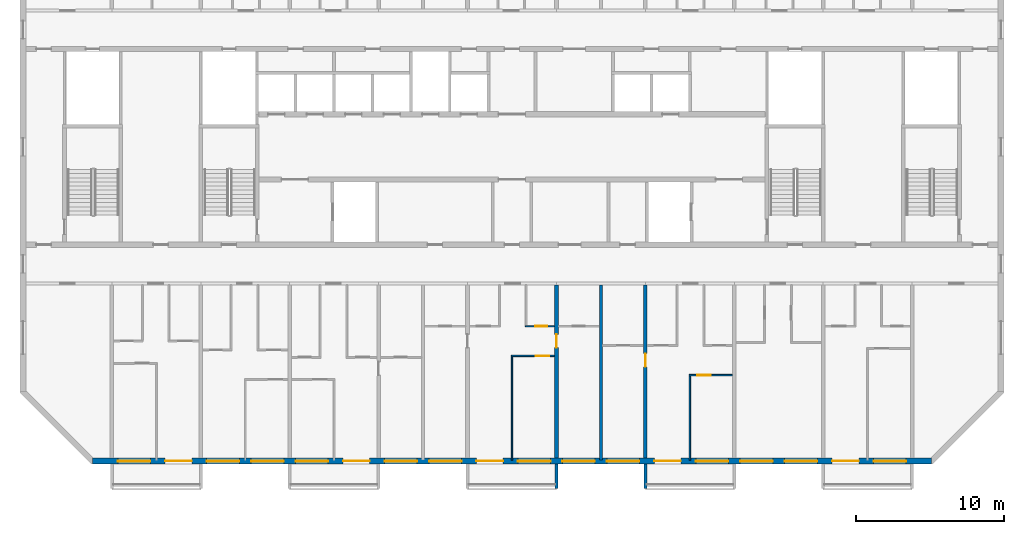
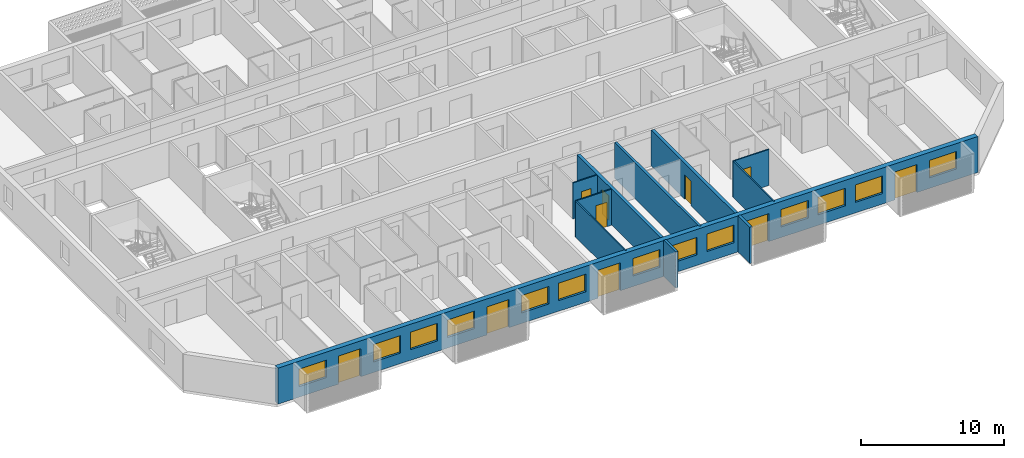
# One storey, part 4 of 26: 13 windows, 11 walls, 10 doors, 23 openings.
"""IFC4 building model written with IfcOpenShell, lengths in metres."""

from ifc_helpers import new_model, si_unit, direction, frame, frame_2d, origin, place, context, subcontext, project, spatial, polyline, rectangle, outline, extrude, source, transform, mapped, material, layer, layer_set, type_object, element, fill, save


model = new_model("IFC4")

# Units and contexts
model_context = context("Model", 3, precision=1e-05, world=origin(), true_north=direction((0.0, 1.0)))
body_context = subcontext(model_context, "Body", "Model", "MODEL_VIEW")
ifc_project = project(units=[si_unit("LENGTHUNIT", "METRE"), si_unit("AREAUNIT", "SQUARE_METRE"), si_unit("VOLUMEUNIT", "CUBIC_METRE"), si_unit("PLANEANGLEUNIT", "RADIAN"), si_unit("MASSUNIT", "GRAM", prefix="KILO")], contexts=[model_context])

# Site, building, storey
site_placement = place(None, origin())
site = spatial("IfcSite", under=ifc_project, at=site_placement, CompositionType="ELEMENT")
building_placement = place(site_placement, origin())
building = spatial("IfcBuilding", under=site, at=building_placement, Name="Poui Terraces", CompositionType="ELEMENT")
storey_placement = place(building_placement, frame((0.0, 0.0, 224.699951171875)))
storey = spatial("IfcBuildingStorey", under=building, at=storey_placement, Name="L62", CompositionType="ELEMENT", Elevation=224.699951171875)

# Wall, opening, door
ifc_material_1 = material(Name="Concrete 50 MPa", Category="concrete")
ifc_layer_1 = layer(ifc_material_1, 0.25)
ifc_layer_set_1 = layer_set([ifc_layer_1], Name="Concrete 50 MPa")
wall_type_1 = type_object("IfcWallType", Name="CROSS WALL 250 50MPa", PredefinedType="SHEAR", material=ifc_layer_set_1)
wall_1_placement = place(storey_placement, frame((54.0, 0.199951171875, 0.0), z_axis=(0.0, 0.0, 1.0), x_axis=(0.0, 1.0, 0.0)))
wall_1 = element("IfcWall", 1, at=wall_1_placement, inside=storey, type_object=wall_type_1, Name="CROSS WALL LINE 10 SOUTH", PredefinedType="SHEAR", context=body_context, shape_type="SweptSolid", body=[
    extrude(rectangle(XDim=11.699951171875, YDim=0.25, at=frame_2d((5.85009765625, 0.0))), origin(), (0.0, 0.0, 1.0), 3.080078125),
])
opening_1_placement = place(wall_1_placement, frame((7.449951171875, 0.0, 0.0)))
opening_1 = element("IfcOpeningElement", 2, at=opening_1_placement, cuts=wall_1, Name="Opening D90", PredefinedType="OPENING", context=body_context, shape_type="SweptSolid", body=[
    extrude(rectangle(XDim=0.89990234375, YDim=2.10009765625, at=frame_2d((0.449951171875, 1.050048828125))), frame((0.0, 0.135009765625, 0.0), z_axis=(0.0, -1.0, 0.0), x_axis=(1.0, 0.0, 0.0)), (0.0, 0.0, 1.0), 0.27001953125),
])
ifc_material_2 = material(Name="Solid core timber door", Category="wood")
door_type_1 = type_object("IfcDoorType", Name="INTERNAL DOOR 900 X 2100", OperationType="NOTDEFINED", PredefinedType="DOOR", material=ifc_material_2)
door_1_placement = place(opening_1_placement, frame((0.89990234375, 0.0, 0.0), z_axis=(0.0, 0.0, 1.0), x_axis=(-1.0, 0.0, 0.0)))
door_1 = element("IfcDoor", 3, at=door_1_placement, inside=storey, type_object=door_type_1, Name="INTERNAL DOOR 080", OperationType="SINGLE_SWING_LEFT", OverallHeight=2.10009765625, OverallWidth=0.89990234375, PredefinedType="DOOR", context=body_context, shape_type="SweptSolid", body=[
    extrude(rectangle(XDim=0.89990234375, YDim=2.10009765625, at=frame_2d((0.449951171875, 1.050048828125))), frame((0.0, 0.02490234375, 0.0), z_axis=(0.0, -1.0, 0.0), x_axis=(1.0, 0.0, 0.0)), (0.0, 0.0, 1.0), 0.050048828125),
])
fill(opening_1, door_1)

wall_2_placement = place(storey_placement, frame((60.0, 0.199951171875, 0.0), z_axis=(0.0, 0.0, 1.0), x_axis=(0.0, 1.0, 0.0)))
wall_2 = element("IfcWall", 4, at=wall_2_placement, inside=storey, type_object=wall_type_1, Name="CROSS WALL LINE 11 SOUTH", PredefinedType="SHEAR", context=body_context, shape_type="SweptSolid", body=[
    extrude(rectangle(XDim=11.699951171875, YDim=0.25, at=frame_2d((5.85009765625, 0.0))), origin(), (0.0, 0.0, 1.0), 3.080078125),
])
opening_2_placement = place(wall_2_placement, frame((6.14990234375, 0.0, 0.0)))
opening_2 = element("IfcOpeningElement", 5, at=opening_2_placement, cuts=wall_2, Name="Opening D90", PredefinedType="OPENING", context=body_context, shape_type="SweptSolid", body=[
    extrude(rectangle(XDim=0.89990234375, YDim=2.10009765625, at=frame_2d((0.449951171875, 1.050048828125))), frame((0.0, 0.135009765625, 0.0), z_axis=(0.0, -1.0, 0.0), x_axis=(1.0, 0.0, 0.0)), (0.0, 0.0, 1.0), 0.27001953125),
])
door_2_placement = place(opening_2_placement, origin())
door_2 = element("IfcDoor", 6, at=door_2_placement, inside=storey, type_object=door_type_1, Name="INTERNAL DOOR 082", OperationType="SINGLE_SWING_RIGHT", OverallHeight=2.10009765625, OverallWidth=0.89990234375, PredefinedType="DOOR", context=body_context, shape_type="SweptSolid", body=[
    extrude(rectangle(XDim=0.89990234375, YDim=2.10009765625, at=frame_2d((0.449951171875, 1.050048828125))), frame((0.0, 0.02490234375, 0.0), z_axis=(0.0, -1.0, 0.0), x_axis=(1.0, 0.0, 0.0)), (0.0, 0.0, 1.0), 0.050048828125),
])
fill(opening_2, door_2)

# Wall, openings, doors, windows
ifc_material_3 = material(Name="Precast concrete 40 MPa", Category="concrete")
ifc_layer_2 = layer(ifc_material_3, 0.39990234375)
ifc_layer_set_2 = layer_set([ifc_layer_2], Name="Precast concrete 40 MPa")
wall_type_2 = type_object("IfcWallType", Name="EXTERNAL WALL 400", PredefinedType="STANDARD", material=ifc_layer_set_2)
wall_3_placement = place(storey_placement, frame((22.682861328125, 0.0, 0.0), z_axis=(0.0, 0.0, 1.0), x_axis=(1.0, 0.0, 0.0)))
wall_3 = element("IfcWall", 7, at=wall_3_placement, inside=storey, type_object=wall_type_2, Name="EXTERNAL WALL S", PredefinedType="STANDARD", context=body_context, shape_type="SweptSolid", body=[
    extrude(rectangle(XDim=56.63427734375, YDim=0.39990234375, at=frame_2d((28.317138671875, 0.0))), origin(), (0.0, 0.0, 1.0), 3.080078125),
])
opening_3_placement = place(wall_3_placement, frame((1.71728515625, 0.0, 0.89990234375)))
opening_3 = element("IfcOpeningElement", 8, at=opening_3_placement, cuts=wall_3, Name="Opening W1", PredefinedType="OPENING", context=body_context, shape_type="SweptSolid", body=[
    extrude(rectangle(XDim=2.199951171875, YDim=1.5, at=frame_2d((1.10009765625, 0.75))), frame((0.0, 0.2099609375, 0.0), z_axis=(0.0, -1.0, 0.0), x_axis=(1.0, 0.0, 0.0)), (0.0, 0.0, 1.0), 0.419921875),
])
opening_4_placement = place(wall_3_placement, frame((4.917236328125, 0.0, 0.0)))
opening_4 = element("IfcOpeningElement", 9, at=opening_4_placement, cuts=wall_3, Name="Opening BD1", PredefinedType="OPENING", context=body_context, shape_type="SweptSolid", body=[
    extrude(rectangle(XDim=1.800048828125, YDim=2.39990234375, at=frame_2d((0.89990234375, 1.199951171875))), frame((0.0, 0.2099609375, 0.0), z_axis=(0.0, -1.0, 0.0), x_axis=(1.0, 0.0, 0.0)), (0.0, 0.0, 1.0), 0.419921875),
])
opening_5_placement = place(wall_3_placement, frame((7.71728515625, 0.0, 0.89990234375)))
opening_5 = element("IfcOpeningElement", 10, at=opening_5_placement, cuts=wall_3, Name="Opening W1", PredefinedType="OPENING", context=body_context, shape_type="SweptSolid", body=[
    extrude(rectangle(XDim=2.199951171875, YDim=1.5, at=frame_2d((1.10009765625, 0.75))), frame((0.0, 0.2099609375, 0.0), z_axis=(0.0, -1.0, 0.0), x_axis=(1.0, 0.0, 0.0)), (0.0, 0.0, 1.0), 0.419921875),
])
opening_6_placement = place(wall_3_placement, frame((10.71728515625, 0.0, 0.89990234375)))
opening_6 = element("IfcOpeningElement", 11, at=opening_6_placement, cuts=wall_3, Name="Opening W1", PredefinedType="OPENING", context=body_context, shape_type="SweptSolid", body=[
    extrude(rectangle(XDim=2.199951171875, YDim=1.5, at=frame_2d((1.10009765625, 0.75))), frame((0.0, 0.2099609375, 0.0), z_axis=(0.0, -1.0, 0.0), x_axis=(1.0, 0.0, 0.0)), (0.0, 0.0, 1.0), 0.419921875),
])
opening_7_placement = place(wall_3_placement, frame((13.71728515625, 0.0, 0.89990234375)))
opening_7 = element("IfcOpeningElement", 12, at=opening_7_placement, cuts=wall_3, Name="Opening W1", PredefinedType="OPENING", context=body_context, shape_type="SweptSolid", body=[
    extrude(rectangle(XDim=2.199951171875, YDim=1.5, at=frame_2d((1.10009765625, 0.75))), frame((0.0, 0.2099609375, 0.0), z_axis=(0.0, -1.0, 0.0), x_axis=(1.0, 0.0, 0.0)), (0.0, 0.0, 1.0), 0.419921875),
])
opening_8_placement = place(wall_3_placement, frame((16.917236328125, 0.0, 0.0)))
opening_8 = element("IfcOpeningElement", 13, at=opening_8_placement, cuts=wall_3, Name="Opening BD1", PredefinedType="OPENING", context=body_context, shape_type="SweptSolid", body=[
    extrude(rectangle(XDim=1.800048828125, YDim=2.39990234375, at=frame_2d((0.89990234375, 1.199951171875))), frame((0.0, 0.2099609375, 0.0), z_axis=(0.0, -1.0, 0.0), x_axis=(1.0, 0.0, 0.0)), (0.0, 0.0, 1.0), 0.419921875),
])
opening_9_placement = place(wall_3_placement, frame((19.71728515625, 0.0, 0.89990234375)))
opening_9 = element("IfcOpeningElement", 14, at=opening_9_placement, cuts=wall_3, Name="Opening W1", PredefinedType="OPENING", context=body_context, shape_type="SweptSolid", body=[
    extrude(rectangle(XDim=2.199951171875, YDim=1.5, at=frame_2d((1.10009765625, 0.75))), frame((0.0, 0.2099609375, 0.0), z_axis=(0.0, -1.0, 0.0), x_axis=(1.0, 0.0, 0.0)), (0.0, 0.0, 1.0), 0.419921875),
])
opening_10_placement = place(wall_3_placement, frame((22.71728515625, 0.0, 0.89990234375)))
opening_10 = element("IfcOpeningElement", 15, at=opening_10_placement, cuts=wall_3, Name="Opening W1", PredefinedType="OPENING", context=body_context, shape_type="SweptSolid", body=[
    extrude(rectangle(XDim=2.199951171875, YDim=1.5, at=frame_2d((1.10009765625, 0.75))), frame((0.0, 0.2099609375, 0.0), z_axis=(0.0, -1.0, 0.0), x_axis=(1.0, 0.0, 0.0)), (0.0, 0.0, 1.0), 0.419921875),
])
opening_11_placement = place(wall_3_placement, frame((25.917236328125, 0.0, 0.0)))
opening_11 = element("IfcOpeningElement", 16, at=opening_11_placement, cuts=wall_3, Name="Opening BD1", PredefinedType="OPENING", context=body_context, shape_type="SweptSolid", body=[
    extrude(rectangle(XDim=1.800048828125, YDim=2.39990234375, at=frame_2d((0.89990234375, 1.199951171875))), frame((0.0, 0.2099609375, 0.0), z_axis=(0.0, -1.0, 0.0), x_axis=(1.0, 0.0, 0.0)), (0.0, 0.0, 1.0), 0.419921875),
])
opening_12_placement = place(wall_3_placement, frame((28.71728515625, 0.0, 0.89990234375)))
opening_12 = element("IfcOpeningElement", 17, at=opening_12_placement, cuts=wall_3, Name="Opening W1", PredefinedType="OPENING", context=body_context, shape_type="SweptSolid", body=[
    extrude(rectangle(XDim=2.199951171875, YDim=1.5, at=frame_2d((1.10009765625, 0.75))), frame((0.0, 0.2099609375, 0.0), z_axis=(0.0, -1.0, 0.0), x_axis=(1.0, 0.0, 0.0)), (0.0, 0.0, 1.0), 0.419921875),
])
opening_13_placement = place(wall_3_placement, frame((31.71728515625, 0.0, 0.89990234375)))
opening_13 = element("IfcOpeningElement", 18, at=opening_13_placement, cuts=wall_3, Name="Opening W1", PredefinedType="OPENING", context=body_context, shape_type="SweptSolid", body=[
    extrude(rectangle(XDim=2.199951171875, YDim=1.5, at=frame_2d((1.10009765625, 0.75))), frame((0.0, 0.2099609375, 0.0), z_axis=(0.0, -1.0, 0.0), x_axis=(1.0, 0.0, 0.0)), (0.0, 0.0, 1.0), 0.419921875),
])
opening_14_placement = place(wall_3_placement, frame((34.71728515625, 0.0, 0.89990234375)))
opening_14 = element("IfcOpeningElement", 19, at=opening_14_placement, cuts=wall_3, Name="Opening W1", PredefinedType="OPENING", context=body_context, shape_type="SweptSolid", body=[
    extrude(rectangle(XDim=2.199951171875, YDim=1.5, at=frame_2d((1.10009765625, 0.75))), frame((0.0, 0.2099609375, 0.0), z_axis=(0.0, -1.0, 0.0), x_axis=(1.0, 0.0, 0.0)), (0.0, 0.0, 1.0), 0.419921875),
])
opening_15_placement = place(wall_3_placement, frame((37.917236328125, 0.0, 0.0)))
opening_15 = element("IfcOpeningElement", 20, at=opening_15_placement, cuts=wall_3, Name="Opening BD1", PredefinedType="OPENING", context=body_context, shape_type="SweptSolid", body=[
    extrude(rectangle(XDim=1.800048828125, YDim=2.39990234375, at=frame_2d((0.89990234375, 1.199951171875))), frame((0.0, 0.2099609375, 0.0), z_axis=(0.0, -1.0, 0.0), x_axis=(1.0, 0.0, 0.0)), (0.0, 0.0, 1.0), 0.419921875),
])
opening_16_placement = place(wall_3_placement, frame((40.71728515625, 0.0, 0.89990234375)))
opening_16 = element("IfcOpeningElement", 21, at=opening_16_placement, cuts=wall_3, Name="Opening W1", PredefinedType="OPENING", context=body_context, shape_type="SweptSolid", body=[
    extrude(rectangle(XDim=2.199951171875, YDim=1.5, at=frame_2d((1.10009765625, 0.75))), frame((0.0, 0.2099609375, 0.0), z_axis=(0.0, -1.0, 0.0), x_axis=(1.0, 0.0, 0.0)), (0.0, 0.0, 1.0), 0.419921875),
])
opening_17_placement = place(wall_3_placement, frame((43.71728515625, 0.0, 0.89990234375)))
opening_17 = element("IfcOpeningElement", 22, at=opening_17_placement, cuts=wall_3, Name="Opening W1", PredefinedType="OPENING", context=body_context, shape_type="SweptSolid", body=[
    extrude(rectangle(XDim=2.199951171875, YDim=1.5, at=frame_2d((1.10009765625, 0.75))), frame((0.0, 0.2099609375, 0.0), z_axis=(0.0, -1.0, 0.0), x_axis=(1.0, 0.0, 0.0)), (0.0, 0.0, 1.0), 0.419921875),
])
opening_18_placement = place(wall_3_placement, frame((46.71728515625, 0.0, 0.89990234375)))
opening_18 = element("IfcOpeningElement", 23, at=opening_18_placement, cuts=wall_3, Name="Opening W1", PredefinedType="OPENING", context=body_context, shape_type="SweptSolid", body=[
    extrude(rectangle(XDim=2.199951171875, YDim=1.5, at=frame_2d((1.10009765625, 0.75))), frame((0.0, 0.2099609375, 0.0), z_axis=(0.0, -1.0, 0.0), x_axis=(1.0, 0.0, 0.0)), (0.0, 0.0, 1.0), 0.419921875),
])
opening_19_placement = place(wall_3_placement, frame((49.917236328125, 0.0, 0.0)))
opening_19 = element("IfcOpeningElement", 24, at=opening_19_placement, cuts=wall_3, Name="Opening BD1", PredefinedType="OPENING", context=body_context, shape_type="SweptSolid", body=[
    extrude(rectangle(XDim=1.800048828125, YDim=2.39990234375, at=frame_2d((0.89990234375, 1.199951171875))), frame((0.0, 0.2099609375, 0.0), z_axis=(0.0, -1.0, 0.0), x_axis=(1.0, 0.0, 0.0)), (0.0, 0.0, 1.0), 0.419921875),
])
opening_20_placement = place(wall_3_placement, frame((52.71728515625, 0.0, 0.89990234375)))
opening_20 = element("IfcOpeningElement", 25, at=opening_20_placement, cuts=wall_3, Name="Opening W1", PredefinedType="OPENING", context=body_context, shape_type="SweptSolid", body=[
    extrude(rectangle(XDim=2.199951171875, YDim=1.5, at=frame_2d((1.10009765625, 0.75))), frame((0.0, 0.2099609375, 0.0), z_axis=(0.0, -1.0, 0.0), x_axis=(1.0, 0.0, 0.0)), (0.0, 0.0, 1.0), 0.419921875),
])
ifc_material_4 = material(Name="Clear glass in aluminium frame", Category="aluminium")
door_type_2 = type_object("IfcDoorType", Name="BALCONY DOOR 1800X2400", OperationType="DOUBLE_DOOR_SLIDING", PredefinedType="DOOR", material=ifc_material_4)
door_3_placement = place(opening_4_placement, origin())
door_3 = element("IfcDoor", 26, at=door_3_placement, inside=storey, type_object=door_type_2, Name="BD1 BALCONY DOOR", OperationType="DOUBLE_DOOR_SLIDING", OverallHeight=2.39990234375, OverallWidth=1.800048828125, PredefinedType="DOOR", context=body_context, shape_type="SweptSolid", body=[
    extrude(rectangle(XDim=1.800048828125, YDim=2.39990234375, at=frame_2d((0.89990234375, 1.199951171875))), frame((0.0, 0.02490234375, 0.0), z_axis=(0.0, -1.0, 0.0), x_axis=(1.0, 0.0, 0.0)), (0.0, 0.0, 1.0), 0.050048828125),
])
fill(opening_4, door_3)
door_4_placement = place(opening_8_placement, origin())
door_4 = element("IfcDoor", 27, at=door_4_placement, inside=storey, type_object=door_type_2, Name="BD1 BALCONY DOOR", OperationType="DOUBLE_DOOR_SLIDING", OverallHeight=2.39990234375, OverallWidth=1.800048828125, PredefinedType="DOOR", context=body_context, shape_type="SweptSolid", body=[
    extrude(rectangle(XDim=1.800048828125, YDim=2.39990234375, at=frame_2d((0.89990234375, 1.199951171875))), frame((0.0, 0.02490234375, 0.0), z_axis=(0.0, -1.0, 0.0), x_axis=(1.0, 0.0, 0.0)), (0.0, 0.0, 1.0), 0.050048828125),
])
fill(opening_8, door_4)
door_5_placement = place(opening_11_placement, origin())
door_5 = element("IfcDoor", 28, at=door_5_placement, inside=storey, type_object=door_type_2, Name="BD1 BALCONY DOOR", OperationType="DOUBLE_DOOR_SLIDING", OverallHeight=2.39990234375, OverallWidth=1.800048828125, PredefinedType="DOOR", context=body_context, shape_type="SweptSolid", body=[
    extrude(rectangle(XDim=1.800048828125, YDim=2.39990234375, at=frame_2d((0.89990234375, 1.199951171875))), frame((0.0, 0.02490234375, 0.0), z_axis=(0.0, -1.0, 0.0), x_axis=(1.0, 0.0, 0.0)), (0.0, 0.0, 1.0), 0.050048828125),
])
fill(opening_11, door_5)
door_6_placement = place(opening_15_placement, origin())
door_6 = element("IfcDoor", 29, at=door_6_placement, inside=storey, type_object=door_type_2, Name="BD1 BALCONY DOOR", OperationType="DOUBLE_DOOR_SLIDING", OverallHeight=2.39990234375, OverallWidth=1.800048828125, PredefinedType="DOOR", context=body_context, shape_type="SweptSolid", body=[
    extrude(rectangle(XDim=1.800048828125, YDim=2.39990234375, at=frame_2d((0.89990234375, 1.199951171875))), frame((0.0, 0.02490234375, 0.0), z_axis=(0.0, -1.0, 0.0), x_axis=(1.0, 0.0, 0.0)), (0.0, 0.0, 1.0), 0.050048828125),
])
fill(opening_15, door_6)
door_7_placement = place(opening_19_placement, origin())
door_7 = element("IfcDoor", 30, at=door_7_placement, inside=storey, type_object=door_type_2, Name="BD1 BALCONY DOOR", OperationType="DOUBLE_DOOR_SLIDING", OverallHeight=2.39990234375, OverallWidth=1.800048828125, PredefinedType="DOOR", context=body_context, shape_type="SweptSolid", body=[
    extrude(rectangle(XDim=1.800048828125, YDim=2.39990234375, at=frame_2d((0.89990234375, 1.199951171875))), frame((0.0, 0.02490234375, 0.0), z_axis=(0.0, -1.0, 0.0), x_axis=(1.0, 0.0, 0.0)), (0.0, 0.0, 1.0), 0.050048828125),
])
fill(opening_19, door_7)
window_type = type_object("IfcWindowType", Name="WINDOW 2200X1500", PartitioningType="DOUBLE_PANEL_HORIZONTAL", PredefinedType="WINDOW", material=ifc_material_4)
window_1_placement = place(opening_3_placement, origin())
window_1 = element("IfcWindow", 31, at=window_1_placement, inside=storey, type_object=window_type, Name="W1 WINDOW", OverallHeight=1.5, OverallWidth=2.199951171875, PartitioningType="DOUBLE_PANEL_HORIZONTAL", PredefinedType="WINDOW", context=body_context, shape_type="SweptSolid", body=[
    extrude(rectangle(XDim=2.199951171875, YDim=1.5, at=frame_2d((1.10009765625, 0.75))), frame((0.0, 0.030029296875, 0.0), z_axis=(0.0, -1.0, 0.0), x_axis=(1.0, 0.0, 0.0)), (0.0, 0.0, 1.0), 0.06005859375),
])
fill(opening_3, window_1)
window_2_placement = place(opening_5_placement, origin())
window_2 = element("IfcWindow", 32, at=window_2_placement, inside=storey, type_object=window_type, Name="W1 WINDOW", OverallHeight=1.5, OverallWidth=2.199951171875, PartitioningType="DOUBLE_PANEL_HORIZONTAL", PredefinedType="WINDOW", context=body_context, shape_type="SweptSolid", body=[
    extrude(rectangle(XDim=2.199951171875, YDim=1.5, at=frame_2d((1.10009765625, 0.75))), frame((0.0, 0.030029296875, 0.0), z_axis=(0.0, -1.0, 0.0), x_axis=(1.0, 0.0, 0.0)), (0.0, 0.0, 1.0), 0.06005859375),
])
fill(opening_5, window_2)
window_3_placement = place(opening_6_placement, origin())
window_3 = element("IfcWindow", 33, at=window_3_placement, inside=storey, type_object=window_type, Name="W1 WINDOW", OverallHeight=1.5, OverallWidth=2.199951171875, PartitioningType="DOUBLE_PANEL_HORIZONTAL", PredefinedType="WINDOW", context=body_context, shape_type="SweptSolid", body=[
    extrude(rectangle(XDim=2.199951171875, YDim=1.5, at=frame_2d((1.10009765625, 0.75))), frame((0.0, 0.030029296875, 0.0), z_axis=(0.0, -1.0, 0.0), x_axis=(1.0, 0.0, 0.0)), (0.0, 0.0, 1.0), 0.06005859375),
])
fill(opening_6, window_3)
window_4_placement = place(opening_7_placement, origin())
window_4 = element("IfcWindow", 34, at=window_4_placement, inside=storey, type_object=window_type, Name="W1 WINDOW", OverallHeight=1.5, OverallWidth=2.199951171875, PartitioningType="DOUBLE_PANEL_HORIZONTAL", PredefinedType="WINDOW", context=body_context, shape_type="SweptSolid", body=[
    extrude(rectangle(XDim=2.199951171875, YDim=1.5, at=frame_2d((1.10009765625, 0.75))), frame((0.0, 0.030029296875, 0.0), z_axis=(0.0, -1.0, 0.0), x_axis=(1.0, 0.0, 0.0)), (0.0, 0.0, 1.0), 0.06005859375),
])
fill(opening_7, window_4)
window_5_placement = place(opening_9_placement, origin())
window_5 = element("IfcWindow", 35, at=window_5_placement, inside=storey, type_object=window_type, Name="W1 WINDOW", OverallHeight=1.5, OverallWidth=2.199951171875, PartitioningType="DOUBLE_PANEL_HORIZONTAL", PredefinedType="WINDOW", context=body_context, shape_type="SweptSolid", body=[
    extrude(rectangle(XDim=2.199951171875, YDim=1.5, at=frame_2d((1.10009765625, 0.75))), frame((0.0, 0.030029296875, 0.0), z_axis=(0.0, -1.0, 0.0), x_axis=(1.0, 0.0, 0.0)), (0.0, 0.0, 1.0), 0.06005859375),
])
fill(opening_9, window_5)
window_6_placement = place(opening_10_placement, origin())
window_6 = element("IfcWindow", 36, at=window_6_placement, inside=storey, type_object=window_type, Name="W1 WINDOW", OverallHeight=1.5, OverallWidth=2.199951171875, PartitioningType="DOUBLE_PANEL_HORIZONTAL", PredefinedType="WINDOW", context=body_context, shape_type="SweptSolid", body=[
    extrude(rectangle(XDim=2.199951171875, YDim=1.5, at=frame_2d((1.10009765625, 0.75))), frame((0.0, 0.030029296875, 0.0), z_axis=(0.0, -1.0, 0.0), x_axis=(1.0, 0.0, 0.0)), (0.0, 0.0, 1.0), 0.06005859375),
])
fill(opening_10, window_6)
window_7_placement = place(opening_12_placement, origin())
window_7 = element("IfcWindow", 37, at=window_7_placement, inside=storey, type_object=window_type, Name="W1 WINDOW", OverallHeight=1.5, OverallWidth=2.199951171875, PartitioningType="DOUBLE_PANEL_HORIZONTAL", PredefinedType="WINDOW", context=body_context, shape_type="SweptSolid", body=[
    extrude(rectangle(XDim=2.199951171875, YDim=1.5, at=frame_2d((1.10009765625, 0.75))), frame((0.0, 0.030029296875, 0.0), z_axis=(0.0, -1.0, 0.0), x_axis=(1.0, 0.0, 0.0)), (0.0, 0.0, 1.0), 0.06005859375),
])
fill(opening_12, window_7)
window_8_placement = place(opening_13_placement, origin())
window_8 = element("IfcWindow", 38, at=window_8_placement, inside=storey, type_object=window_type, Name="W1 WINDOW", OverallHeight=1.5, OverallWidth=2.199951171875, PartitioningType="DOUBLE_PANEL_HORIZONTAL", PredefinedType="WINDOW", context=body_context, shape_type="SweptSolid", body=[
    extrude(rectangle(XDim=2.199951171875, YDim=1.5, at=frame_2d((1.10009765625, 0.75))), frame((0.0, 0.030029296875, 0.0), z_axis=(0.0, -1.0, 0.0), x_axis=(1.0, 0.0, 0.0)), (0.0, 0.0, 1.0), 0.06005859375),
])
fill(opening_13, window_8)
window_9_placement = place(opening_14_placement, origin())
window_9 = element("IfcWindow", 39, at=window_9_placement, inside=storey, type_object=window_type, Name="W1 WINDOW", OverallHeight=1.5, OverallWidth=2.199951171875, PartitioningType="DOUBLE_PANEL_HORIZONTAL", PredefinedType="WINDOW", context=body_context, shape_type="SweptSolid", body=[
    extrude(rectangle(XDim=2.199951171875, YDim=1.5, at=frame_2d((1.10009765625, 0.75))), frame((0.0, 0.030029296875, 0.0), z_axis=(0.0, -1.0, 0.0), x_axis=(1.0, 0.0, 0.0)), (0.0, 0.0, 1.0), 0.06005859375),
])
fill(opening_14, window_9)
window_10_placement = place(opening_16_placement, origin())
window_10 = element("IfcWindow", 40, at=window_10_placement, inside=storey, type_object=window_type, Name="W1 WINDOW", OverallHeight=1.5, OverallWidth=2.199951171875, PartitioningType="DOUBLE_PANEL_HORIZONTAL", PredefinedType="WINDOW", context=body_context, shape_type="SweptSolid", body=[
    extrude(rectangle(XDim=2.199951171875, YDim=1.5, at=frame_2d((1.10009765625, 0.75))), frame((0.0, 0.030029296875, 0.0), z_axis=(0.0, -1.0, 0.0), x_axis=(1.0, 0.0, 0.0)), (0.0, 0.0, 1.0), 0.06005859375),
])
fill(opening_16, window_10)
window_11_placement = place(opening_17_placement, origin())
window_11 = element("IfcWindow", 41, at=window_11_placement, inside=storey, type_object=window_type, Name="W1 WINDOW", OverallHeight=1.5, OverallWidth=2.199951171875, PartitioningType="DOUBLE_PANEL_HORIZONTAL", PredefinedType="WINDOW", context=body_context, shape_type="SweptSolid", body=[
    extrude(rectangle(XDim=2.199951171875, YDim=1.5, at=frame_2d((1.10009765625, 0.75))), frame((0.0, 0.030029296875, 0.0), z_axis=(0.0, -1.0, 0.0), x_axis=(1.0, 0.0, 0.0)), (0.0, 0.0, 1.0), 0.06005859375),
])
fill(opening_17, window_11)
window_12_placement = place(opening_18_placement, origin())
window_12 = element("IfcWindow", 42, at=window_12_placement, inside=storey, type_object=window_type, Name="W1 WINDOW", OverallHeight=1.5, OverallWidth=2.199951171875, PartitioningType="DOUBLE_PANEL_HORIZONTAL", PredefinedType="WINDOW", context=body_context, shape_type="SweptSolid", body=[
    extrude(rectangle(XDim=2.199951171875, YDim=1.5, at=frame_2d((1.10009765625, 0.75))), frame((0.0, 0.030029296875, 0.0), z_axis=(0.0, -1.0, 0.0), x_axis=(1.0, 0.0, 0.0)), (0.0, 0.0, 1.0), 0.06005859375),
])
fill(opening_18, window_12)
window_13_placement = place(opening_20_placement, origin())
window_13 = element("IfcWindow", 43, at=window_13_placement, inside=storey, type_object=window_type, Name="W1 WINDOW", OverallHeight=1.5, OverallWidth=2.199951171875, PartitioningType="DOUBLE_PANEL_HORIZONTAL", PredefinedType="WINDOW", context=body_context, shape_type="SweptSolid", body=[
    extrude(rectangle(XDim=2.199951171875, YDim=1.5, at=frame_2d((1.10009765625, 0.75))), frame((0.0, 0.030029296875, 0.0), z_axis=(0.0, -1.0, 0.0), x_axis=(1.0, 0.0, 0.0)), (0.0, 0.0, 1.0), 0.06005859375),
])
fill(opening_20, window_13)

# Wall, opening, door
ifc_material_5 = material(Name="Plasterboard partition")
ifc_layer_3 = layer(ifc_material_5, 0.10009765625)
ifc_layer_set_3 = layer_set([ifc_layer_3], Name="Plasterboard partition")
wall_type_3 = type_object("IfcWallType", Name="FLAT PARTITION 100", PredefinedType="PARTITIONING", material=ifc_layer_set_3)
wall_4_placement = place(storey_placement, frame((62.949951171875, 5.800048828125, 0.0), z_axis=(0.0, 0.0, 1.0), x_axis=(1.0, 0.0, 0.0)))
wall_4 = element("IfcWall", 44, at=wall_4_placement, inside=storey, type_object=wall_type_3, Name="FLAT PARTITION 100", PredefinedType="PARTITIONING", context=body_context, shape_type="SweptSolid", body=[
    extrude(rectangle(XDim=2.9150390625, YDim=0.10009765625, at=frame_2d((1.45751953125, 0.0))), origin(), (0.0, 0.0, 1.0), 3.080078125),
])
opening_21_placement = place(wall_4_placement, frame((0.550048828125, 0.0, 0.0)))
opening_21 = element("IfcOpeningElement", 45, at=opening_21_placement, cuts=wall_4, Name="Opening D90", PredefinedType="OPENING", context=body_context, shape_type="SweptSolid", body=[
    extrude(rectangle(XDim=0.89990234375, YDim=2.10009765625, at=frame_2d((0.449951171875, 1.050048828125))), frame((0.0, 0.06005859375, 0.0), z_axis=(0.0, -1.0, 0.0), x_axis=(1.0, 0.0, 0.0)), (0.0, 0.0, 1.0), 0.1201171875),
])
door_8_placement = place(opening_21_placement, origin())
door_8 = element("IfcDoor", 46, at=door_8_placement, inside=storey, type_object=door_type_1, Name="INTERNAL DOOR 085", OperationType="SINGLE_SWING_RIGHT", OverallHeight=2.10009765625, OverallWidth=0.89990234375, PredefinedType="DOOR", context=body_context, shape_type="SweptSolid", body=[
    extrude(rectangle(XDim=0.89990234375, YDim=2.10009765625, at=frame_2d((0.449951171875, 1.050048828125))), frame((0.0, 0.02490234375, 0.0), z_axis=(0.0, -1.0, 0.0), x_axis=(1.0, 0.0, 0.0)), (0.0, 0.0, 1.0), 0.050048828125),
])
fill(opening_21, door_8)

wall_5_placement = place(storey_placement, frame((50.949951171875, 7.10009765625, 0.0), z_axis=(0.0, 0.0, 1.0), x_axis=(1.0, 0.0, 0.0)))
wall_5 = element("IfcWall", 47, at=wall_5_placement, inside=storey, type_object=wall_type_3, Name="FLAT PARTITION 100", PredefinedType="PARTITIONING", context=body_context, shape_type="SweptSolid", body=[
    extrude(rectangle(XDim=2.9150390625, YDim=0.10009765625, at=frame_2d((1.45751953125, 0.0))), origin(), (0.0, 0.0, 1.0), 3.080078125),
])
opening_22_placement = place(wall_5_placement, frame((1.64990234375, 0.0, 0.0)))
opening_22 = element("IfcOpeningElement", 48, at=opening_22_placement, cuts=wall_5, Name="Opening D90", PredefinedType="OPENING", context=body_context, shape_type="SweptSolid", body=[
    extrude(rectangle(XDim=0.89990234375, YDim=2.10009765625, at=frame_2d((0.449951171875, 1.050048828125))), frame((0.0, 0.06005859375, 0.0), z_axis=(0.0, -1.0, 0.0), x_axis=(1.0, 0.0, 0.0)), (0.0, 0.0, 1.0), 0.1201171875),
])
door_9_placement = place(opening_22_placement, origin())
door_9 = element("IfcDoor", 49, at=door_9_placement, inside=storey, type_object=door_type_1, Name="INTERNAL DOOR 079", OperationType="SINGLE_SWING_LEFT", OverallHeight=2.10009765625, OverallWidth=0.89990234375, PredefinedType="DOOR", context=body_context, shape_type="SweptSolid", body=[
    extrude(rectangle(XDim=0.89990234375, YDim=2.10009765625, at=frame_2d((0.449951171875, 1.050048828125))), frame((0.0, 0.02490234375, 0.0), z_axis=(0.0, -1.0, 0.0), x_axis=(1.0, 0.0, 0.0)), (0.0, 0.0, 1.0), 0.050048828125),
])
fill(opening_22, door_9)

wall_6_placement = place(storey_placement, frame((51.89990234375, 9.10009765625, 0.0), z_axis=(0.0, 0.0, 1.0), x_axis=(1.0, 0.0, 0.0)))
wall_6 = element("IfcWall", 50, at=wall_6_placement, inside=storey, type_object=wall_type_3, Name="FLAT PARTITION 100", PredefinedType="PARTITIONING", context=body_context, shape_type="SweptSolid", body=[
    extrude(rectangle(XDim=1.965087890625, YDim=0.10009765625, at=frame_2d((0.982421875, 0.0))), origin(), (0.0, 0.0, 1.0), 3.080078125),
])
opening_23_placement = place(wall_6_placement, frame((0.675048828125, 0.0, 0.0)))
opening_23 = element("IfcOpeningElement", 51, at=opening_23_placement, cuts=wall_6, Name="Opening D80", PredefinedType="OPENING", context=body_context, shape_type="SweptSolid", body=[
    extrude(rectangle(XDim=0.800048828125, YDim=2.10009765625, at=frame_2d((0.39990234375, 1.050048828125))), frame((0.0, 0.06005859375, 0.0), z_axis=(0.0, -1.0, 0.0), x_axis=(1.0, 0.0, 0.0)), (0.0, 0.0, 1.0), 0.1201171875),
])
door_type_3 = type_object("IfcDoorType", Name="BATHROOM, LAUNDRY AND STORE DOOR 800 X 2100", OperationType="NOTDEFINED", PredefinedType="DOOR", material=ifc_material_2)
door_10_placement = place(opening_23_placement, origin())
door_10 = element("IfcDoor", 52, at=door_10_placement, inside=storey, type_object=door_type_3, Name="BATHROOM, LAUNDRY AND STORE DOOR 078", OperationType="SINGLE_SWING_RIGHT", OverallHeight=2.10009765625, OverallWidth=0.800048828125, PredefinedType="DOOR", context=body_context, shape_type="SweptSolid", body=[
    extrude(rectangle(XDim=0.800048828125, YDim=2.10009765625, at=frame_2d((0.39990234375, 1.050048828125))), frame((0.0, 0.02490234375, 0.0), z_axis=(0.0, -1.0, 0.0), x_axis=(1.0, 0.0, 0.0)), (0.0, 0.0, 1.0), 0.050048828125),
])
fill(opening_23, door_10)

# Walls
wall_7_placement = place(storey_placement, frame((51.0, 0.06005859375, 0.0), z_axis=(0.0, 0.0, 1.0), x_axis=(0.0, 1.0, 0.0)))
element("IfcWall", 53, at=wall_7_placement, inside=storey, type_object=wall_type_3, Name="FLAT PARTITION 100", PredefinedType="PARTITIONING", context=body_context, shape_type="SweptSolid", body=[
    extrude(rectangle(XDim=6.989990234375, YDim=0.10009765625, at=frame_2d((3.4951171875, 0.0))), origin(), (0.0, 0.0, 1.0), 3.080078125),
])
wall_8_placement = place(storey_placement, frame((63.0, 0.06005859375, 0.0), z_axis=(0.0, 0.0, 1.0), x_axis=(0.0, 1.0, 0.0)))
element("IfcWall", 54, at=wall_8_placement, inside=storey, type_object=wall_type_3, Name="FLAT PARTITION 100", PredefinedType="PARTITIONING", context=body_context, shape_type="SweptSolid", body=[
    extrude(rectangle(XDim=5.68994140625, YDim=0.10009765625, at=frame_2d((2.844970703125, 0.0))), origin(), (0.0, 0.0, 1.0), 3.080078125),
])
ifc_material_6 = material(Name="Fire-rated masonry wall", Category="masonry")
ifc_layer_4 = layer(ifc_material_6, 0.199951171875)
ifc_layer_set_4 = layer_set([ifc_layer_4], Name="Fire-rated masonry wall")
wall_type_4 = type_object("IfcWallType", Name="FLAT PARTY WALL 200", PredefinedType="PARTITIONING", material=ifc_layer_set_4)
wall_9_placement = place(storey_placement, frame((57.0, 0.06005859375, 0.0), z_axis=(0.0, 0.0, 1.0), x_axis=(0.0, 1.0, 0.0)))
element("IfcWall", 55, at=wall_9_placement, inside=storey, type_object=wall_type_4, Name="FLAT PARTY WALL 200", PredefinedType="PARTITIONING", context=body_context, shape_type="SweptSolid", body=[
    extrude(rectangle(XDim=11.829833984375, YDim=0.199951171875, at=frame_2d((5.9150390625, 0.0))), origin(), (0.0, 0.0, 1.0), 3.080078125),
])
ifc_layer_5 = layer(ifc_material_3, 0.199951171875)
ifc_layer_set_5 = layer_set([ifc_layer_5], Name="Precast concrete 40 MPa")
wall_type_5 = type_object("IfcWallType", Name="REAR FIN 200", PredefinedType="STANDARD", material=ifc_layer_set_5)
shared_shape = source(origin(), body_context, "Body", "SweptSolid", [
    extrude(outline(polyline([(0.0, 0.0), (0.2001953125, 0.0), (0.2001953125, 1.650146484375), (0.0, 1.650146484375), (0.0, 0.0)])), origin(), (0.0, 0.0, 1.0), 3.10009765625),
])
for number, where, name in (
    (56, (53.89990234375, -1.85009765625, 0.0), "REAR FIN"),
    (57, (59.89990234375, -1.85009765625, 0.0), "REAR FIN"),
):
    element("IfcWall", number, at=place(storey_placement, frame(where)), inside=storey, type_object=wall_type_5, Name=name, PredefinedType="STANDARD", context=body_context, shape_type="MappedRepresentation", body=[
        mapped(shared_shape, transform((0.0, 0.0, 0.0))),
    ])

save(model, "model.ifc")
